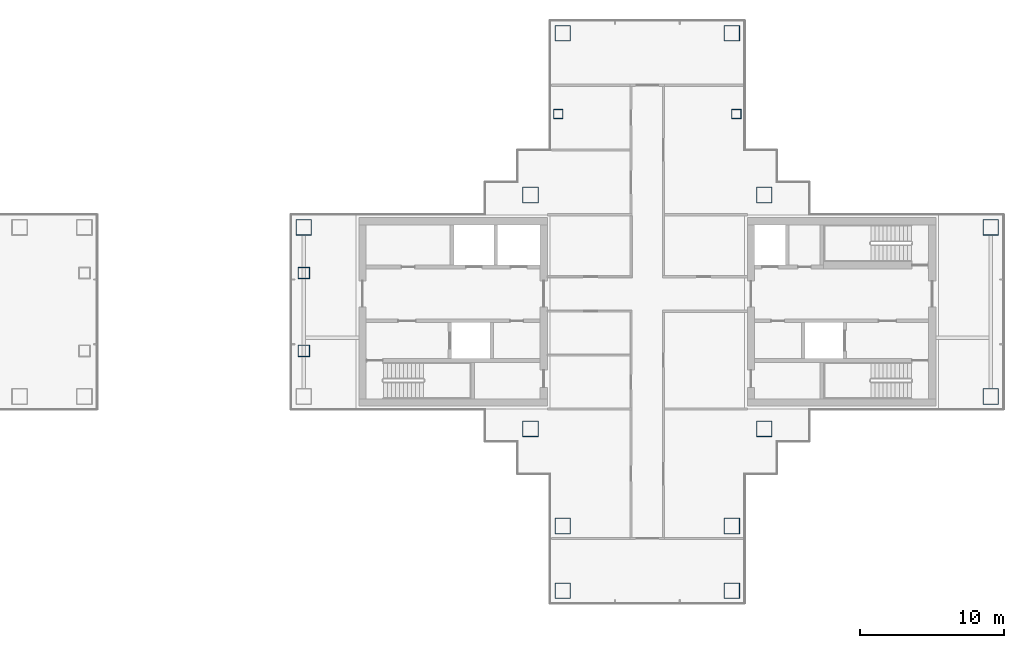
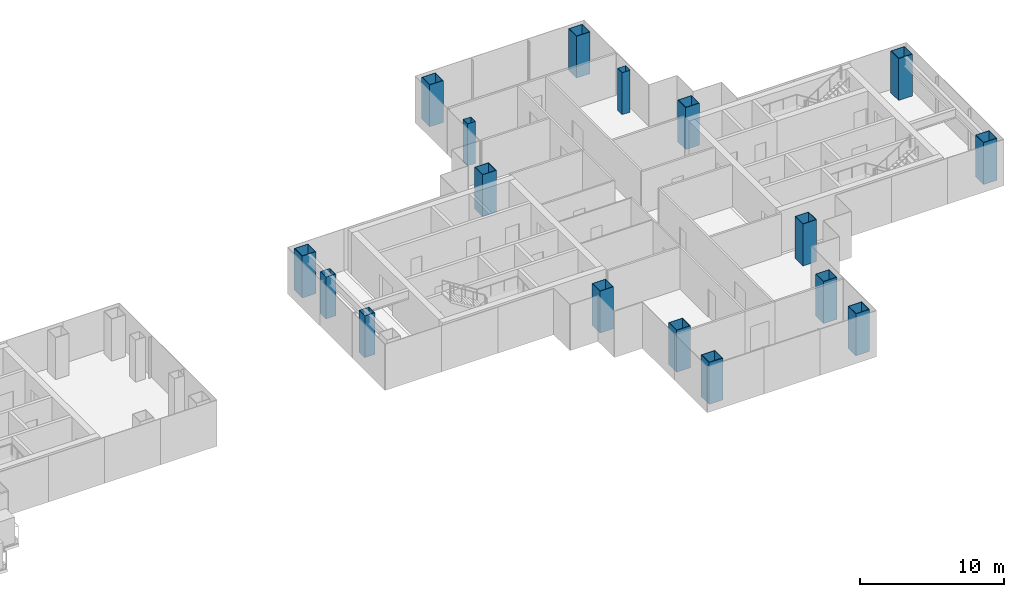
# One storey, part 2 of 16: 17 columns.
"""IFC4 building model written with IfcOpenShell, lengths in metres."""

from ifc_helpers import new_model, si_unit, direction, frame, origin, origin_2d, place, context, subcontext, project, spatial, hollow_rectangle, extrude, material, material_profile, profile_set, type_object, element, save


model = new_model("IFC4")

# Units and contexts
model_context = context("Model", 3, precision=1e-05, world=origin(), true_north=direction((0.0, 1.0)))
body_context = subcontext(model_context, "Body", "Model", "MODEL_VIEW")
ifc_project = project(units=[si_unit("LENGTHUNIT", "METRE"), si_unit("AREAUNIT", "SQUARE_METRE"), si_unit("VOLUMEUNIT", "CUBIC_METRE"), si_unit("PLANEANGLEUNIT", "RADIAN"), si_unit("MASSUNIT", "GRAM", prefix="KILO")], contexts=[model_context])

# Site, building, storey
site_placement = place(None, origin())
site = spatial("IfcSite", under=ifc_project, at=site_placement, CompositionType="ELEMENT")
building_placement = place(site_placement, origin())
building = spatial("IfcBuilding", under=site, at=building_placement, Name="Shamsa Quay Exchange Towers", CompositionType="ELEMENT")
storey_placement = place(building_placement, frame((0.0, 0.0, 154.5)))
storey = spatial("IfcBuildingStorey", under=building, at=storey_placement, Name="L36", CompositionType="ELEMENT", Elevation=154.5)

# Columns
ifc_material_1 = material(Name="Concrete-filled steel tube S355 / C80/95", Category="concrete")
ifc_material_profile_1 = material_profile(ifc_material_1, hollow_rectangle(XDim=1.10009765625, YDim=1.10009765625, WallThickness=0.0400390625, at=origin_2d()), Name="CFT 1100x1100x40")
ifc_profile_set_1 = profile_set([ifc_material_profile_1], Name="Concrete-filled steel tube S355 / C80/95")
column_type_1 = type_object("IfcColumnType", Name="Column CFT 1100x1100x40", PredefinedType="COLUMN", material=ifc_profile_set_1)
for number, where, name in (
    (1, (25.625, 8.125, 0.0), "Mega column T2-CM01"),
    (2, (41.875, 8.125, 0.0), "Mega column T2-CM02"),
    (3, (25.625, -8.125, 0.0), "Mega column T2-CM03"),
    (4, (41.875, -8.125, 0.0), "Mega column T2-CM04"),
    (5, (39.625, 19.375, 0.0), "Mega column T2-CM06"),
    (6, (27.875, 19.375, 0.0), "Mega column T2-CM10"),
    (7, (39.625, -14.875, 0.0), "Mega column T2-CM13"),
    (8, (39.625, -19.375, 0.0), "Mega column T2-CM14"),
    (9, (27.875, -14.875, 0.0), "Mega column T2-CM16"),
    (10, (27.875, -19.375, 0.0), "Mega column T2-CM17"),
    (11, (9.875, 5.875, 0.0), "Mega column T2-CM20"),
    (12, (57.625, -5.875, 0.0), "Mega column T2-CM21"),
    (13, (57.625, 5.875, 0.0), "Mega column T2-CM23"),
):
    element("IfcColumn", number, at=place(storey_placement, frame(where)), inside=storey, type_object=column_type_1, Name=name, PredefinedType="COLUMN", context=body_context, shape_type="SweptSolid", body=[
        extrude(hollow_rectangle(XDim=1.10009765625, YDim=1.10009765625, WallThickness=0.0400390625, at=origin_2d()), origin(), (0.0, 0.0, 1.0), 3.550048828125),
    ])
ifc_material_2 = material(Name="Concrete-filled steel tube S355 / C60/75", Category="concrete")
ifc_material_profile_2 = material_profile(ifc_material_2, hollow_rectangle(XDim=0.64990234375, YDim=0.64990234375, WallThickness=0.02001953125, at=origin_2d()), Name="CFT 650x650x20")
ifc_profile_set_2 = profile_set([ifc_material_profile_2], Name="Concrete-filled steel tube S355 / C60/75")
column_type_2 = type_object("IfcColumnType", Name="Column CFT 650x650x20", PredefinedType="COLUMN", material=ifc_profile_set_2)
for number, where, name in (
    (14, (39.9375, 13.75, 0.0), "Perimeter column T2-CP05"),
    (15, (27.5625, 13.75, 0.0), "Perimeter column T2-CP09"),
):
    element("IfcColumn", number, at=place(storey_placement, frame(where)), inside=storey, type_object=column_type_2, Name=name, PredefinedType="COLUMN", context=body_context, shape_type="SweptSolid", body=[
        extrude(hollow_rectangle(XDim=0.64990234375, YDim=0.64990234375, WallThickness=0.02001953125, at=origin_2d()), origin(), (0.0, 0.0, 1.0), 3.550048828125),
    ])
ifc_material_3 = material(Name="Concrete-filled steel tube S355 / C70/85", Category="concrete")
ifc_material_profile_3 = material_profile(ifc_material_3, hollow_rectangle(XDim=0.800048828125, YDim=0.800048828125, WallThickness=0.030029296875, at=origin_2d()), Name="CFT 800x800x30")
ifc_profile_set_3 = profile_set([ifc_material_profile_3], Name="Concrete-filled steel tube S355 / C70/85")
column_type_3 = type_object("IfcColumnType", Name="Landing column CFT 800x800x30", PredefinedType="COLUMN", material=ifc_profile_set_3)
for number, where, name in (
    (16, (9.875, -2.699951171875, 0.0), "Landing column T2 S"),
    (17, (9.875, 2.699951171875, 0.0), "Landing column T2 N"),
):
    element("IfcColumn", number, at=place(storey_placement, frame(where)), inside=storey, type_object=column_type_3, Name=name, PredefinedType="COLUMN", context=body_context, shape_type="SweptSolid", body=[
        extrude(hollow_rectangle(XDim=0.800048828125, YDim=0.800048828125, WallThickness=0.030029296875, at=origin_2d()), origin(), (0.0, 0.0, 1.0), 3.550048828125),
    ])

save(model, "model.ifc")
